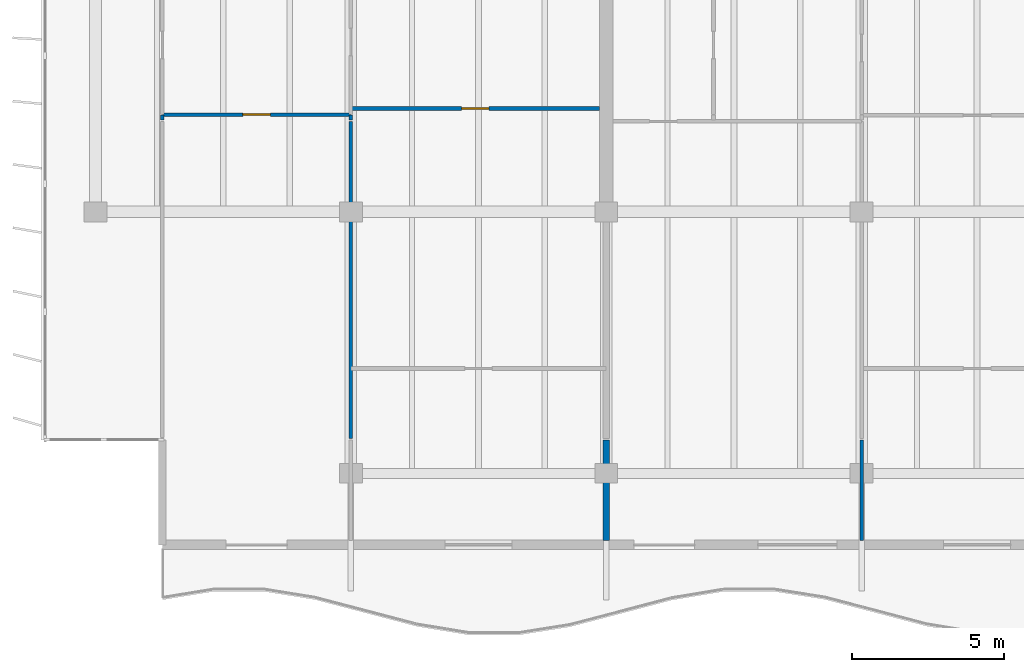
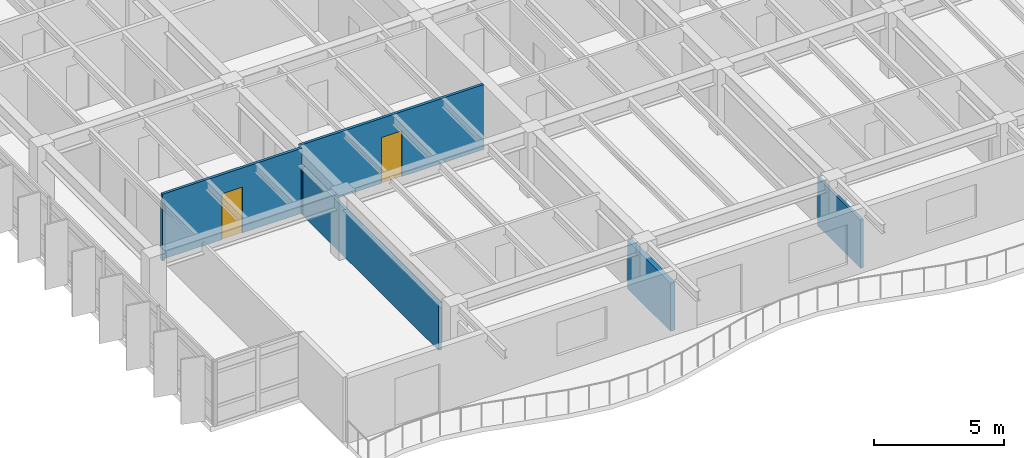
# One storey, part 6 of 17: 7 walls, 2 doors, 2 openings.
"""IFC4 building model written with IfcOpenShell, lengths in metres."""

from ifc_helpers import new_model, si_unit, direction, frame, frame_2d, origin, place, context, subcontext, project, spatial, rectangle, extrude, material, layer, layer_set, type_object, element, fill, save


model = new_model("IFC4")

# Units and contexts
model_context = context("Model", 3, precision=1e-05, world=origin(), true_north=direction((0.0, 1.0)))
body_context = subcontext(model_context, "Body", "Model", "MODEL_VIEW")
ifc_project = project(units=[si_unit("LENGTHUNIT", "METRE"), si_unit("AREAUNIT", "SQUARE_METRE"), si_unit("VOLUMEUNIT", "CUBIC_METRE"), si_unit("PLANEANGLEUNIT", "RADIAN"), si_unit("MASSUNIT", "GRAM", prefix="KILO")], contexts=[model_context])

# Site, building, storey
site_placement = place(None, origin())
site = spatial("IfcSite", under=ifc_project, at=site_placement, CompositionType="ELEMENT")
building_placement = place(site_placement, origin())
building = spatial("IfcBuilding", under=site, at=building_placement, Name="Caelmar Bay Residences", CompositionType="ELEMENT")
storey_placement = place(building_placement, frame((0.0, 0.0, 259.5)))
storey = spatial("IfcBuildingStorey", under=building, at=storey_placement, Name="L73", CompositionType="ELEMENT", Elevation=259.5)

# Walls
ifc_material_1 = material(Name="Acoustic metal-stud gypsum partition 120 mm")
ifc_layer_1 = layer(ifc_material_1, 0.1201171875)
ifc_layer_set_1 = layer_set([ifc_layer_1], Name="Acoustic metal-stud gypsum partition 120 mm")
wall_type_1 = type_object("IfcWallType", Name="W-PRT-120", PredefinedType="PARTITIONING", material=ifc_layer_set_1)
wall_1_placement = place(storey_placement, frame((12.10009765625, 23.830078125, 0.0), z_axis=(0.0, 0.0, 1.0), x_axis=(0.0, 1.0, 0.0)))
element("IfcWall", 1, at=wall_1_placement, inside=storey, type_object=wall_type_1, Name="L73 Partition Wall V002", PredefinedType="PARTITIONING", context=body_context, shape_type="SweptSolid", body=[
    extrude(rectangle(XDim=0.14990234375, YDim=0.1201171875, at=frame_2d((0.074951171875, 0.0))), origin(), (0.0, 0.0, 1.0), 2.72509765625),
])
wall_2_placement = place(storey_placement, frame((18.300048828125, 13.340087890625, 0.0), z_axis=(0.0, 0.0, 1.0), x_axis=(0.0, 1.0, 0.0)))
element("IfcWall", 2, at=wall_2_placement, inside=storey, type_object=wall_type_1, Name="L73 Partition Wall V010", PredefinedType="PARTITIONING", context=body_context, shape_type="SweptSolid", body=[
    extrude(rectangle(XDim=10.43994140625, YDim=0.1201171875, at=frame_2d((5.219970703125, 0.0))), origin(), (0.0, 0.0, 1.0), 2.262939453125),
])
wall_3_placement = place(storey_placement, frame((18.300048828125, 23.830078125, 0.0), z_axis=(0.0, 0.0, 1.0), x_axis=(0.0, 1.0, 0.0)))
element("IfcWall", 3, at=wall_3_placement, inside=storey, type_object=wall_type_1, Name="L73 Partition Wall V011", PredefinedType="PARTITIONING", context=body_context, shape_type="SweptSolid", body=[
    extrude(rectangle(XDim=0.14990234375, YDim=0.1201171875, at=frame_2d((0.074951171875, 0.0))), origin(), (0.0, 0.0, 1.0), 2.262939453125),
])
wall_4_placement = place(storey_placement, frame((35.10009765625, 9.9951171875, 0.0), z_axis=(0.0, 0.0, 1.0), x_axis=(0.0, 1.0, 0.0)))
element("IfcWall", 4, at=wall_4_placement, inside=storey, type_object=wall_type_1, Name="L73 Partition Wall V025", PredefinedType="PARTITIONING", context=body_context, shape_type="SweptSolid", body=[
    extrude(rectangle(XDim=3.304931640625, YDim=0.1201171875, at=frame_2d((1.65234375, 0.0))), origin(), (0.0, 0.0, 1.0), 2.262939453125),
])

# Wall, opening, door
wall_5_placement = place(storey_placement, frame((12.10009765625, 24.0, 0.0), z_axis=(0.0, 0.0, 1.0), x_axis=(1.0, 0.0, 0.0)))
wall_5 = element("IfcWall", 5, at=wall_5_placement, inside=storey, type_object=wall_type_1, Name="L73 Partition Wall H077", PredefinedType="PARTITIONING", context=body_context, shape_type="SweptSolid", body=[
    extrude(rectangle(XDim=6.199951171875, YDim=0.1201171875, at=frame_2d((3.10009765625, 0.0))), origin(), (0.0, 0.0, 1.0), 3.050048828125),
])
opening_1_placement = place(wall_5_placement, frame((2.64990234375, 0.0, 0.0)))
opening_1 = element("IfcOpeningElement", 6, at=opening_1_placement, cuts=wall_5, Name="Opening D-L73-123", PredefinedType="OPENING", context=body_context, shape_type="SweptSolid", body=[
    extrude(rectangle(XDim=0.89990234375, YDim=2.14990234375, at=frame_2d((0.449951171875, 1.074951171875))), frame((0.0, 0.070068359375, 0.0), z_axis=(0.0, -1.0, 0.0), x_axis=(1.0, 0.0, 0.0)), (0.0, 0.0, 1.0), 0.14013671875),
])
ifc_material_2 = material(Name="Solid walnut timber interior door leaf and frame", Category="wood")
ifc_layer_2 = layer(ifc_material_2, 0.050048828125)
ifc_layer_set_2 = layer_set([ifc_layer_2], Name="Solid walnut timber interior door leaf and frame")
door_type = type_object("IfcDoorType", Name="D-ROOM-900", OperationType="NOTDEFINED", PredefinedType="DOOR", material=ifc_layer_set_2)
door_1_placement = place(opening_1_placement, origin())
door_1 = element("IfcDoor", 7, at=door_1_placement, inside=storey, type_object=door_type, Name="L73 Residence 01 Penthouse Living Salon Door", OperationType="SINGLE_SWING_RIGHT", OverallHeight=2.14990234375, OverallWidth=0.89990234375, PredefinedType="DOOR", context=body_context, shape_type="SweptSolid", body=[
    extrude(rectangle(XDim=0.89990234375, YDim=2.14990234375, at=frame_2d((0.449951171875, 1.074951171875))), frame((0.0, 0.02490234375, 0.0), z_axis=(0.0, -1.0, 0.0), x_axis=(1.0, 0.0, 0.0)), (0.0, 0.0, 1.0), 0.050048828125),
])
fill(opening_1, door_1)

wall_6_placement = place(storey_placement, frame((18.304931640625, 24.199951171875, 0.0), z_axis=(0.0, 0.0, 1.0), x_axis=(1.0, 0.0, 0.0)))
wall_6 = element("IfcWall", 8, at=wall_6_placement, inside=storey, type_object=wall_type_1, Name="L73 Partition Wall H078", PredefinedType="PARTITIONING", context=body_context, shape_type="SweptSolid", body=[
    extrude(rectangle(XDim=8.175048828125, YDim=0.1201171875, at=frame_2d((4.08740234375, 0.0))), origin(), (0.0, 0.0, 1.0), 3.050048828125),
])
opening_2_placement = place(wall_6_placement, frame((3.637451171875, 0.0, 0.0)))
opening_2 = element("IfcOpeningElement", 9, at=opening_2_placement, cuts=wall_6, Name="Opening D-L73-127", PredefinedType="OPENING", context=body_context, shape_type="SweptSolid", body=[
    extrude(rectangle(XDim=0.89990234375, YDim=2.14990234375, at=frame_2d((0.449951171875, 1.074951171875))), frame((0.0, 0.070068359375, 0.0), z_axis=(0.0, -1.0, 0.0), x_axis=(1.0, 0.0, 0.0)), (0.0, 0.0, 1.0), 0.14013671875),
])
door_2_placement = place(opening_2_placement, origin())
door_2 = element("IfcDoor", 10, at=door_2_placement, inside=storey, type_object=door_type, Name="L73 Residence 01 Penthouse Sitting Salon 1 Door", OperationType="SINGLE_SWING_RIGHT", OverallHeight=2.14990234375, OverallWidth=0.89990234375, PredefinedType="DOOR", context=body_context, shape_type="SweptSolid", body=[
    extrude(rectangle(XDim=0.89990234375, YDim=2.14990234375, at=frame_2d((0.449951171875, 1.074951171875))), frame((0.0, 0.02490234375, 0.0), z_axis=(0.0, -1.0, 0.0), x_axis=(1.0, 0.0, 0.0)), (0.0, 0.0, 1.0), 0.050048828125),
])
fill(opening_2, door_2)

# Wall
ifc_material_3 = material(Name="Acoustic twin-stud fire-rated inter-tenancy partition 200 mm")
ifc_layer_3 = layer(ifc_material_3, 0.199951171875)
ifc_layer_set_3 = layer_set([ifc_layer_3], Name="Acoustic twin-stud fire-rated inter-tenancy partition 200 mm")
wall_type_2 = type_object("IfcWallType", Name="W-PTY-200", PredefinedType="PARTITIONING", material=ifc_layer_set_3)
wall_7_placement = place(storey_placement, frame((26.699951171875, 9.9951171875, 0.0), z_axis=(0.0, 0.0, 1.0), x_axis=(0.0, 1.0, 0.0)))
element("IfcWall", 11, at=wall_7_placement, inside=storey, type_object=wall_type_2, Name="L73 Partition Wall V017", PredefinedType="PARTITIONING", context=body_context, shape_type="SweptSolid", body=[
    extrude(rectangle(XDim=3.304931640625, YDim=0.199951171875, at=frame_2d((1.65234375, 0.0))), origin(), (0.0, 0.0, 1.0), 2.262939453125),
])

save(model, "model.ifc")
